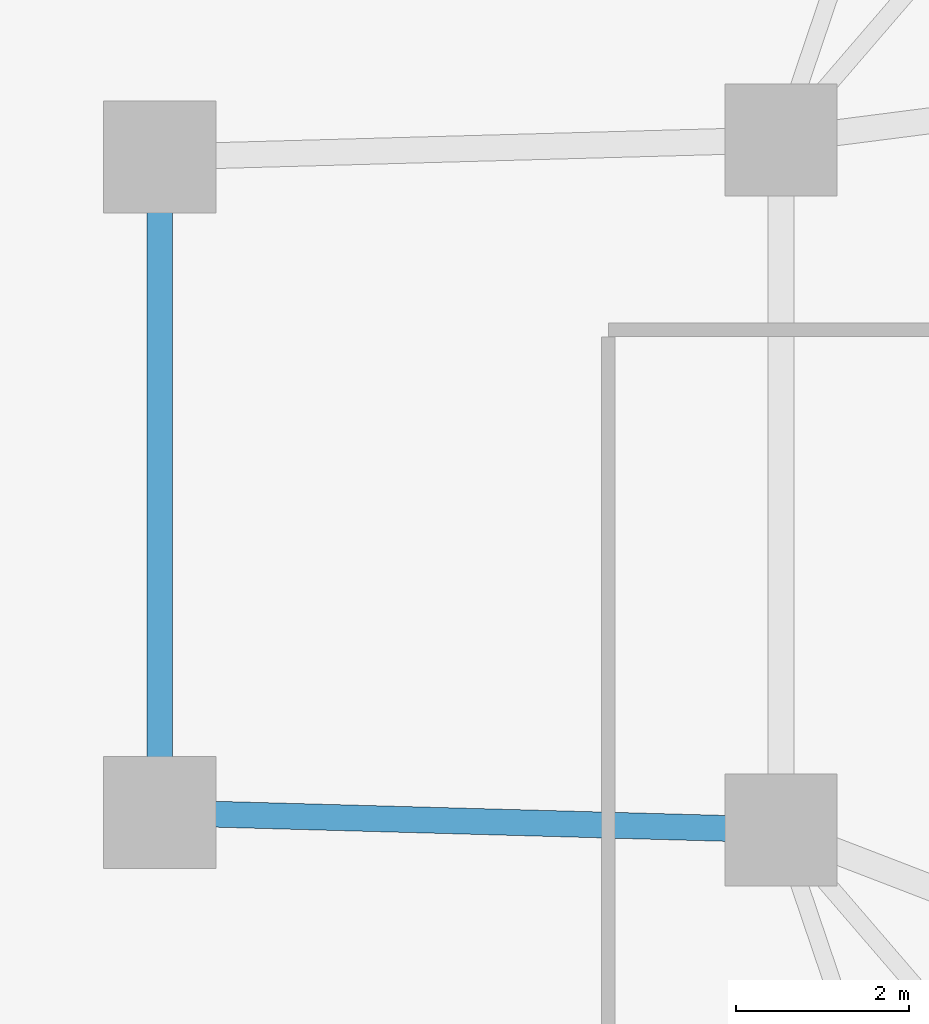
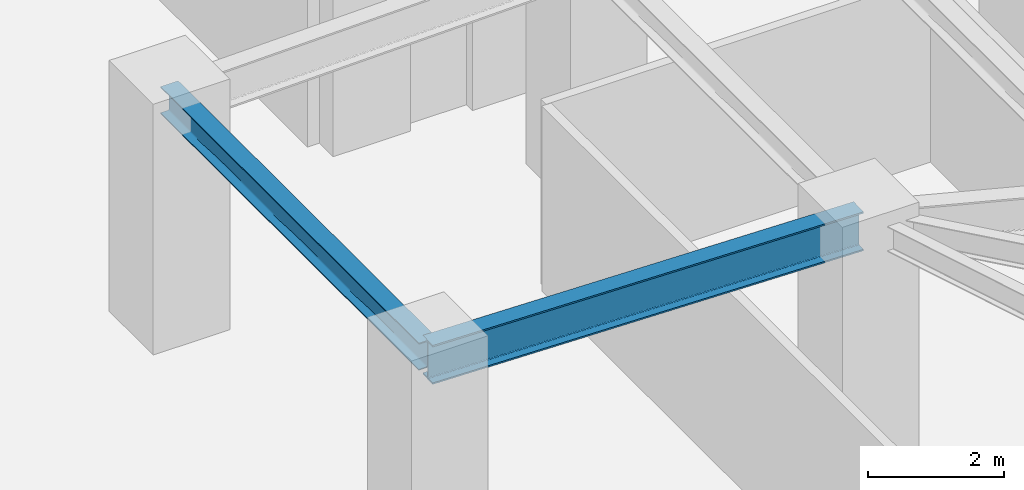
# One storey, part 5 of 23: 2 beams.
"""IFC4 building model written with IfcOpenShell, lengths in metres."""

from ifc_helpers import new_model, si_unit, direction, frame, origin, origin_2d, place, context, subcontext, project, spatial, i_section, extrude, material, material_profile, profile_set, type_object, element, save


model = new_model("IFC4")

# Units and contexts
model_context = context("Model", 3, precision=1e-05, world=origin(), true_north=direction((0.0, 1.0)))
body_context = subcontext(model_context, "Body", "Model", "MODEL_VIEW")
ifc_project = project(units=[si_unit("LENGTHUNIT", "METRE"), si_unit("AREAUNIT", "SQUARE_METRE"), si_unit("VOLUMEUNIT", "CUBIC_METRE"), si_unit("PLANEANGLEUNIT", "RADIAN"), si_unit("MASSUNIT", "GRAM", prefix="KILO")], contexts=[model_context])

# Site, building, storey
site_placement = place(None, origin())
site = spatial("IfcSite", under=ifc_project, at=site_placement, CompositionType="ELEMENT")
building_placement = place(site_placement, origin())
building = spatial("IfcBuilding", under=site, at=building_placement, Name="Qingluan Cross Belvedere", CompositionType="ELEMENT")
storey_placement = place(building_placement, frame((0.0, 0.0, 10.199951171875)))
storey = spatial("IfcBuildingStorey", under=building, at=storey_placement, Name="L03", CompositionType="ELEMENT", Elevation=10.199951171875)

# Beams
ifc_material_1 = material(Name="Steel Q420GJB", Category="steel")
ifc_material_profile_1 = material_profile(ifc_material_1, i_section(OverallWidth=0.300048828125, OverallDepth=0.488037109375, WebThickness=0.010986328125, FlangeThickness=0.01806640625, FilletRadius=0.02197265625, at=origin_2d()), Name="HM488x300x11x18")
ifc_profile_set_1 = profile_set([ifc_material_profile_1], Name="Steel Q420GJB")
beam_type_1 = type_object("IfcBeamType", Name="Steel_Beam_HM488x300x11x18", PredefinedType="BEAM", material=ifc_profile_set_1)
beam_1_placement = place(storey_placement, frame((-27.0, -3.800048828125, 4.006103515625), z_axis=(0.0, 1.0, 0.0), x_axis=(-1.0, 0.0, 0.0)))
element("IfcBeam", 1, at=beam_1_placement, inside=storey, type_object=beam_type_1, Name="Arm W tip transverse beam L03", PredefinedType="BEAM", context=body_context, shape_type="SweptSolid", body=[
    extrude(i_section(OverallWidth=0.300048828125, OverallDepth=0.488037109375, WebThickness=0.010986328125, FlangeThickness=0.01806640625, FilletRadius=0.02197265625, at=origin_2d()), origin(), (0.0, 0.0, 1.0), 7.60009765625),
])
ifc_material_2 = material(Name="Steel Q420GJB", Category="steel")
ifc_material_profile_2 = material_profile(ifc_material_2, i_section(OverallWidth=0.300048828125, OverallDepth=0.699951171875, WebThickness=0.014892578125, FlangeThickness=0.027099609375, FilletRadius=0.027099609375, at=origin_2d()), Name="HEB700")
ifc_profile_set_2 = profile_set([ifc_material_profile_2], Name="Steel Q420GJB")
beam_type_2 = type_object("IfcBeamType", Name="Steel_Girder_HEB700", PredefinedType="USERDEFINED", material=ifc_profile_set_2)
beam_2_placement = place(storey_placement, frame((-19.800048828125, -4.0, 3.900146484375), z_axis=(-0.999614603568, 0.027760481514, 0.0), x_axis=(-0.027760481514, -0.999614603568, 0.0)))
element("IfcBeam", 2, at=beam_2_placement, inside=storey, type_object=beam_type_2, Name="Arm W outer radial girder A L03", ObjectType="GIRDER", PredefinedType="USERDEFINED", context=body_context, shape_type="SweptSolid", body=[
    extrude(i_section(OverallWidth=0.300048828125, OverallDepth=0.699951171875, WebThickness=0.014892578125, FlangeThickness=0.027099609375, FilletRadius=0.027099609375, at=origin_2d()), origin(), (0.0, 0.0, 1.0), 7.20263671875),
])

save(model, "model.ifc")
